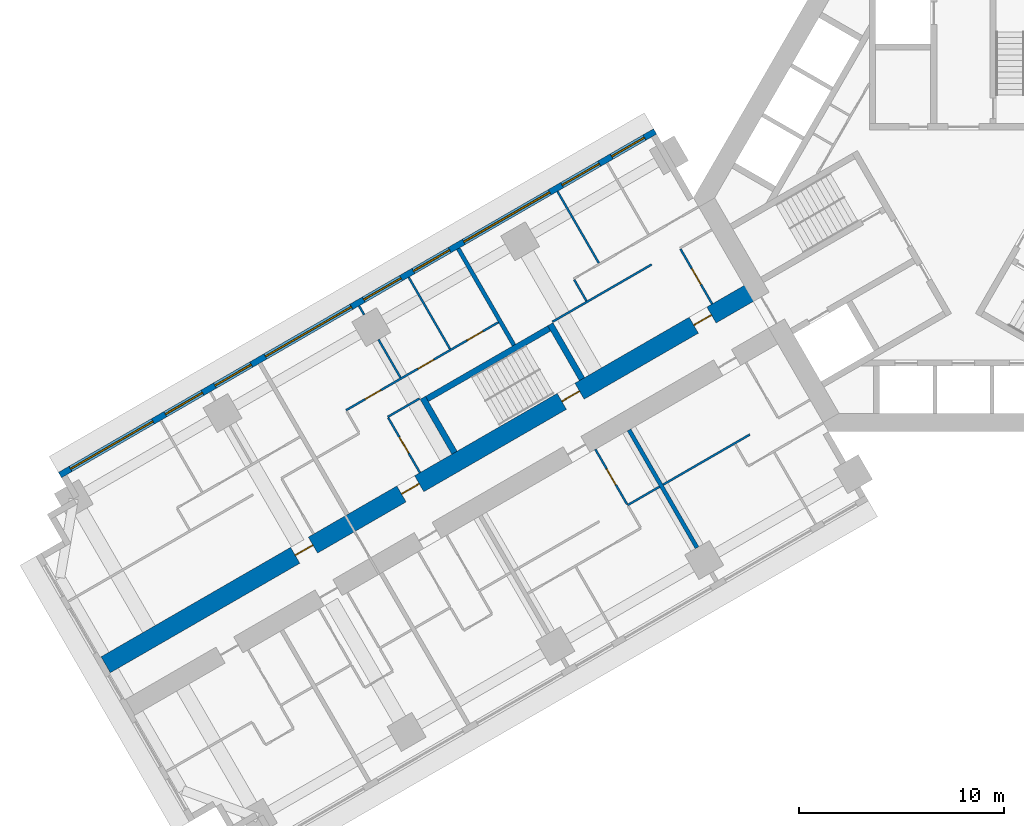
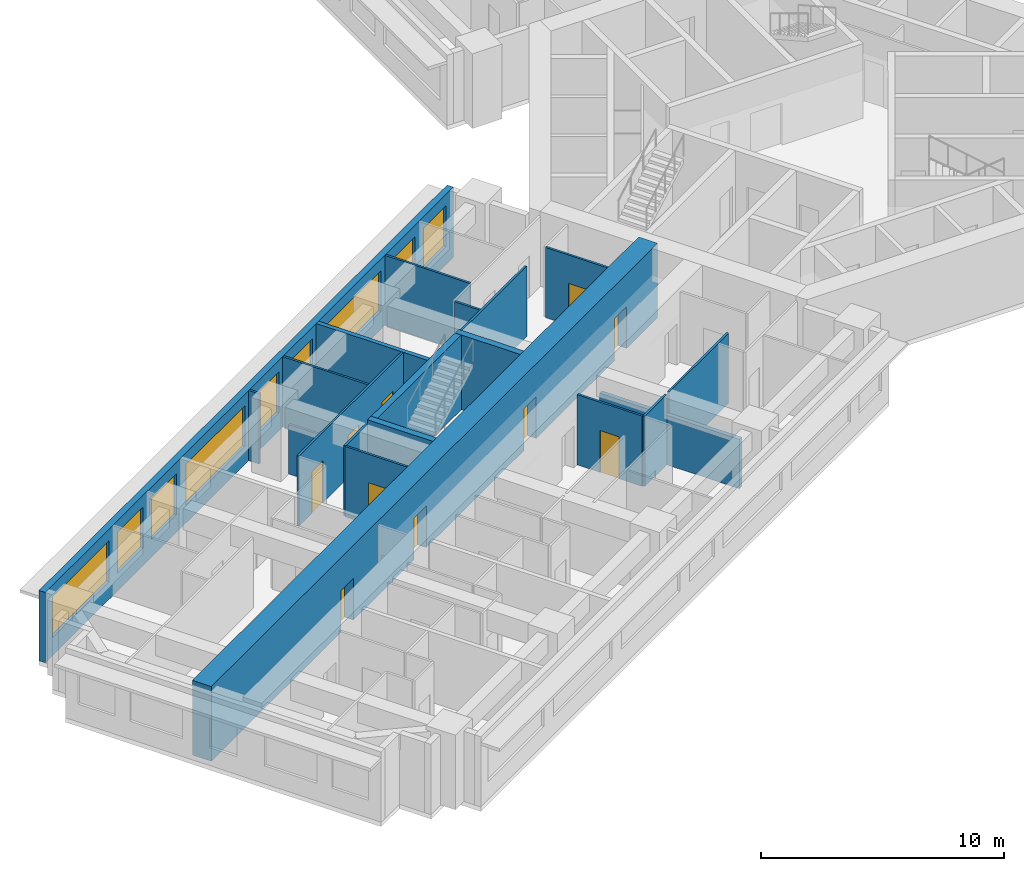
# One storey, part 5 of 16: 20 walls, 10 doors, 9 windows, 19 openings.
"""IFC4 building model written with IfcOpenShell, lengths in metres."""

from ifc_helpers import new_model, si_unit, direction, frame, frame_2d, origin, place, context, subcontext, project, spatial, rectangle, extrude, material, layer, layer_set, type_object, element, fill, save


model = new_model("IFC4")

# Units and contexts
model_context = context("Model", 3, precision=1e-05, world=origin(), true_north=direction((0.0, 1.0)))
body_context = subcontext(model_context, "Body", "Model", "MODEL_VIEW")
ifc_project = project(units=[si_unit("LENGTHUNIT", "METRE"), si_unit("AREAUNIT", "SQUARE_METRE"), si_unit("VOLUMEUNIT", "CUBIC_METRE"), si_unit("PLANEANGLEUNIT", "RADIAN"), si_unit("MASSUNIT", "GRAM", prefix="KILO")], contexts=[model_context])

# Site, building, storey
site_placement = place(None, origin())
site = spatial("IfcSite", under=ifc_project, at=site_placement, CompositionType="ELEMENT")
building_placement = place(site_placement, origin())
building = spatial("IfcBuilding", under=site, at=building_placement, Name="Impinga Residences", CompositionType="ELEMENT")
storey_placement = place(building_placement, frame((0.0, 0.0, 78.5)))
storey = spatial("IfcBuildingStorey", under=building, at=storey_placement, Name="L19", CompositionType="ELEMENT", Elevation=78.5)

# Wall, openings, doors
ifc_material_1 = material(Name="Concrete C70/85", Category="concrete")
ifc_layer_1 = layer(ifc_material_1, 0.89990234375)
ifc_layer_set_1 = layer_set([ifc_layer_1], Name="Concrete C70/85")
wall_type_1 = type_object("IfcWallType", Name="BW1 corridor buttress wall, L05 to L22 900", PredefinedType="SHEAR", material=ifc_layer_set_1)
wall_1_placement = place(storey_placement, frame((-10.1103515625, -4.451416015625, 0.0), z_axis=(0.0, 0.0, 1.0), x_axis=(-0.866025284237, -0.500000207062, 0.0)))
wall_1 = element("IfcWall", 1, at=wall_1_placement, inside=storey, type_object=wall_type_1, Name="Corridor wall BW1 WD L19", PredefinedType="SHEAR", context=body_context, shape_type="SweptSolid", body=[
    extrude(rectangle(XDim=36.75, YDim=0.89990234375, at=frame_2d((18.375, 0.0))), origin(), (0.0, 0.0, 1.0), 3.75),
])
opening_1_placement = place(wall_1_placement, frame((10.0, 0.0, 0.0)))
opening_1 = element("IfcOpeningElement", 2, at=opening_1_placement, cuts=wall_1, Name="Opening D5", PredefinedType="OPENING", context=body_context, shape_type="SweptSolid", body=[
    extrude(rectangle(XDim=1.0, YDim=2.10009765625, at=frame_2d((0.5, 1.050048828125))), frame((0.0, 0.4599609375, 0.0), z_axis=(0.0, -1.0, 0.0), x_axis=(1.0, 0.0, 0.0)), (0.0, 0.0, 1.0), 0.919921875),
])
opening_2_placement = place(wall_1_placement, frame((2.550048828125, 0.0, 0.0)))
opening_2 = element("IfcOpeningElement", 3, at=opening_2_placement, cuts=wall_1, Name="Opening D1", PredefinedType="OPENING", context=body_context, shape_type="SweptSolid", body=[
    extrude(rectangle(XDim=1.0, YDim=2.10009765625, at=frame_2d((0.5, 1.050048828125))), frame((0.0, 0.4599609375, 0.0), z_axis=(0.0, -1.0, 0.0), x_axis=(1.0, 0.0, 0.0)), (0.0, 0.0, 1.0), 0.919921875),
])
opening_3_placement = place(wall_1_placement, frame((19.050048828125, 0.0, 0.0)))
opening_3 = element("IfcOpeningElement", 4, at=opening_3_placement, cuts=wall_1, Name="Opening D1", PredefinedType="OPENING", context=body_context, shape_type="SweptSolid", body=[
    extrude(rectangle(XDim=1.0, YDim=2.10009765625, at=frame_2d((0.5, 1.050048828125))), frame((0.0, 0.4599609375, 0.0), z_axis=(0.0, -1.0, 0.0), x_axis=(1.0, 0.0, 0.0)), (0.0, 0.0, 1.0), 0.919921875),
])
opening_4_placement = place(wall_1_placement, frame((25.050048828125, 0.0, 0.0)))
opening_4 = element("IfcOpeningElement", 5, at=opening_4_placement, cuts=wall_1, Name="Opening D1", PredefinedType="OPENING", context=body_context, shape_type="SweptSolid", body=[
    extrude(rectangle(XDim=1.0, YDim=2.10009765625, at=frame_2d((0.5, 1.050048828125))), frame((0.0, 0.4599609375, 0.0), z_axis=(0.0, -1.0, 0.0), x_axis=(1.0, 0.0, 0.0)), (0.0, 0.0, 1.0), 0.919921875),
])
ifc_material_2 = material(Name="Timber door set", Category="wood")
door_type_1 = type_object("IfcDoorType", Name="D1 apartment entrance door 1000x2100", OperationType="SINGLE_SWING_LEFT", PredefinedType="DOOR", material=ifc_material_2)
door_1_placement = place(opening_2_placement, origin())
door_1 = element("IfcDoor", 6, at=door_1_placement, inside=storey, type_object=door_type_1, Name="Apartment L19-WF1 entrance", OperationType="SINGLE_SWING_LEFT", OverallHeight=2.10009765625, OverallWidth=1.0, PredefinedType="DOOR", context=body_context, shape_type="SweptSolid", body=[
    extrude(rectangle(XDim=1.0, YDim=2.10009765625, at=frame_2d((0.5, 1.050048828125))), frame((0.0, 0.02490234375, 0.0), z_axis=(0.0, -1.0, 0.0), x_axis=(1.0, 0.0, 0.0)), (0.0, 0.0, 1.0), 0.050048828125),
])
fill(opening_2, door_1)
door_2_placement = place(opening_3_placement, origin())
door_2 = element("IfcDoor", 7, at=door_2_placement, inside=storey, type_object=door_type_1, Name="Apartment L19-WF2 entrance", OperationType="SINGLE_SWING_RIGHT", OverallHeight=2.10009765625, OverallWidth=1.0, PredefinedType="DOOR", context=body_context, shape_type="SweptSolid", body=[
    extrude(rectangle(XDim=1.0, YDim=2.10009765625, at=frame_2d((0.5, 1.050048828125))), frame((0.0, 0.02490234375, 0.0), z_axis=(0.0, -1.0, 0.0), x_axis=(1.0, 0.0, 0.0)), (0.0, 0.0, 1.0), 0.050048828125),
])
fill(opening_3, door_2)
door_3_placement = place(opening_4_placement, origin())
door_3 = element("IfcDoor", 8, at=door_3_placement, inside=storey, type_object=door_type_1, Name="Apartment L19-WF3 entrance", OperationType="SINGLE_SWING_RIGHT", OverallHeight=2.10009765625, OverallWidth=1.0, PredefinedType="DOOR", context=body_context, shape_type="SweptSolid", body=[
    extrude(rectangle(XDim=1.0, YDim=2.10009765625, at=frame_2d((0.5, 1.050048828125))), frame((0.0, 0.02490234375, 0.0), z_axis=(0.0, -1.0, 0.0), x_axis=(1.0, 0.0, 0.0)), (0.0, 0.0, 1.0), 0.050048828125),
])
fill(opening_4, door_3)
door_type_2 = type_object("IfcDoorType", Name="D5 stair door 1000x2100", OperationType="SINGLE_SWING_LEFT", PredefinedType="DOOR", material=ifc_material_2)
door_4_placement = place(opening_1_placement, origin())
door_4 = element("IfcDoor", 9, at=door_4_placement, inside=storey, type_object=door_type_2, Name="Wing stair door W", OperationType="SINGLE_SWING_LEFT", OverallHeight=2.10009765625, OverallWidth=1.0, PredefinedType="DOOR", context=body_context, shape_type="SweptSolid", body=[
    extrude(rectangle(XDim=1.0, YDim=2.10009765625, at=frame_2d((0.5, 1.050048828125))), frame((0.0, 0.02490234375, 0.0), z_axis=(0.0, -1.0, 0.0), x_axis=(1.0, 0.0, 0.0)), (0.0, 0.0, 1.0), 0.050048828125),
])
fill(opening_1, door_4)

# Wall, openings, windows
ifc_material_3 = material(Name="Terracotta rainscreen on blockwork", Category="masonry")
ifc_layer_2 = layer(ifc_material_3, 0.300048828125)
ifc_layer_set_2 = layer_set([ifc_layer_2], Name="EW1 external wall, terracotta rainscreen on blockwork 300")
wall_type_2 = type_object("IfcWallType", Name="EW1 external wall, terracotta rainscreen on blockwork 300", PredefinedType="SOLIDWALL", material=ifc_layer_set_2)
wall_2_placement = place(storey_placement, frame((-44.17333984375, -13.552490234375, 0.0), z_axis=(0.0, 0.0, 1.0), x_axis=(0.866024291668, 0.500001926238, 0.0)))
wall_2 = element("IfcWall", 10, at=wall_2_placement, inside=storey, type_object=wall_type_2, Name="External wall EW1 L19", PredefinedType="SOLIDWALL", context=body_context, shape_type="SweptSolid", body=[
    extrude(rectangle(XDim=33.599853515625, YDim=0.300048828125, at=frame_2d((16.7998046875, 0.0))), origin(), (0.0, 0.0, 1.0), 3.530029296875),
])
opening_5_placement = place(wall_2_placement, frame((0.60009765625, 0.0, 0.89990234375)))
opening_5 = element("IfcOpeningElement", 11, at=opening_5_placement, cuts=wall_2, Name="Opening W10", PredefinedType="OPENING", context=body_context, shape_type="SweptSolid", body=[
    extrude(rectangle(XDim=4.64990234375, YDim=2.050048828125, at=frame_2d((2.324951171875, 1.02490234375))), frame((0.0, 0.159912109375, 0.0), z_axis=(0.0, -1.0, 0.0), x_axis=(1.0, 0.0, 0.0)), (0.0, 0.0, 1.0), 0.320068359375),
])
opening_6_placement = place(wall_2_placement, frame((5.949951171875, 0.0, 0.89990234375)))
opening_6 = element("IfcOpeningElement", 12, at=opening_6_placement, cuts=wall_2, Name="Opening W9", PredefinedType="OPENING", context=body_context, shape_type="SweptSolid", body=[
    extrude(rectangle(XDim=2.10009765625, YDim=2.050048828125, at=frame_2d((1.050048828125, 1.02490234375))), frame((0.0, 0.159912109375, 0.0), z_axis=(0.0, -1.0, 0.0), x_axis=(1.0, 0.0, 0.0)), (0.0, 0.0, 1.0), 0.320068359375),
])
opening_7_placement = place(wall_2_placement, frame((8.75, 0.0, 0.89990234375)))
opening_7 = element("IfcOpeningElement", 13, at=opening_7_placement, cuts=wall_2, Name="Opening W14", PredefinedType="OPENING", context=body_context, shape_type="SweptSolid", body=[
    extrude(rectangle(XDim=2.050048828125, YDim=2.050048828125, at=frame_2d((1.02490234375, 1.02490234375))), frame((0.0, 0.159912109375, 0.0), z_axis=(0.0, -1.0, 0.0), x_axis=(1.0, 0.0, 0.0)), (0.0, 0.0, 1.0), 0.320068359375),
])
opening_8_placement = place(wall_2_placement, frame((11.60009765625, 0.0, 0.89990234375)))
opening_8 = element("IfcOpeningElement", 14, at=opening_8_placement, cuts=wall_2, Name="Opening W6", PredefinedType="OPENING", context=body_context, shape_type="SweptSolid", body=[
    extrude(rectangle(XDim=4.85009765625, YDim=2.050048828125, at=frame_2d((2.425048828125, 1.02490234375))), frame((0.0, 0.159912109375, 0.0), z_axis=(0.0, -1.0, 0.0), x_axis=(1.0, 0.0, 0.0)), (0.0, 0.0, 1.0), 0.320068359375),
])
opening_9_placement = place(wall_2_placement, frame((17.14990234375, 0.0, 0.89990234375)))
opening_9 = element("IfcOpeningElement", 15, at=opening_9_placement, cuts=wall_2, Name="Opening W9", PredefinedType="OPENING", context=body_context, shape_type="SweptSolid", body=[
    extrude(rectangle(XDim=2.10009765625, YDim=2.050048828125, at=frame_2d((1.050048828125, 1.02490234375))), frame((0.0, 0.159912109375, 0.0), z_axis=(0.0, -1.0, 0.0), x_axis=(1.0, 0.0, 0.0)), (0.0, 0.0, 1.0), 0.320068359375),
])
opening_10_placement = place(wall_2_placement, frame((19.949951171875, 0.0, 0.89990234375)))
opening_10 = element("IfcOpeningElement", 16, at=opening_10_placement, cuts=wall_2, Name="Opening W14", PredefinedType="OPENING", context=body_context, shape_type="SweptSolid", body=[
    extrude(rectangle(XDim=2.050048828125, YDim=2.050048828125, at=frame_2d((1.02490234375, 1.02490234375))), frame((0.0, 0.159912109375, 0.0), z_axis=(0.0, -1.0, 0.0), x_axis=(1.0, 0.0, 0.0)), (0.0, 0.0, 1.0), 0.320068359375),
])
opening_11_placement = place(wall_2_placement, frame((22.800048828125, 0.0, 0.89990234375)))
opening_11 = element("IfcOpeningElement", 17, at=opening_11_placement, cuts=wall_2, Name="Opening W6", PredefinedType="OPENING", context=body_context, shape_type="SweptSolid", body=[
    extrude(rectangle(XDim=4.85009765625, YDim=2.050048828125, at=frame_2d((2.425048828125, 1.02490234375))), frame((0.0, 0.159912109375, 0.0), z_axis=(0.0, -1.0, 0.0), x_axis=(1.0, 0.0, 0.0)), (0.0, 0.0, 1.0), 0.320068359375),
])
opening_12_placement = place(wall_2_placement, frame((28.35009765625, 0.0, 0.89990234375)))
opening_12 = element("IfcOpeningElement", 18, at=opening_12_placement, cuts=wall_2, Name="Opening W9", PredefinedType="OPENING", context=body_context, shape_type="SweptSolid", body=[
    extrude(rectangle(XDim=2.10009765625, YDim=2.050048828125, at=frame_2d((1.050048828125, 1.02490234375))), frame((0.0, 0.159912109375, 0.0), z_axis=(0.0, -1.0, 0.0), x_axis=(1.0, 0.0, 0.0)), (0.0, 0.0, 1.0), 0.320068359375),
])
opening_13_placement = place(wall_2_placement, frame((31.14990234375, 0.0, 0.89990234375)))
opening_13 = element("IfcOpeningElement", 19, at=opening_13_placement, cuts=wall_2, Name="Opening W15", PredefinedType="OPENING", context=body_context, shape_type="SweptSolid", body=[
    extrude(rectangle(XDim=1.85009765625, YDim=2.050048828125, at=frame_2d((0.925048828125, 1.02490234375))), frame((0.0, 0.159912109375, 0.0), z_axis=(0.0, -1.0, 0.0), x_axis=(1.0, 0.0, 0.0)), (0.0, 0.0, 1.0), 0.320068359375),
])
ifc_material_4 = material(Name="Aluminium window, clear double glazing", Category="aluminium")
window_type_1 = type_object("IfcWindowType", Name="W10 ribbon window 4650x2050", PartitioningType="SINGLE_PANEL", PredefinedType="WINDOW", material=ifc_material_4)
window_1_placement = place(opening_5_placement, origin())
window_1 = element("IfcWindow", 20, at=window_1_placement, inside=storey, type_object=window_type_1, Name="Window L19", OverallHeight=2.050048828125, OverallWidth=4.64990234375, PartitioningType="SINGLE_PANEL", PredefinedType="WINDOW", context=body_context, shape_type="SweptSolid", body=[
    extrude(rectangle(XDim=4.64990234375, YDim=2.050048828125, at=frame_2d((2.324951171875, 1.02490234375))), frame((0.0, 0.030029296875, 0.0), z_axis=(0.0, -1.0, 0.0), x_axis=(1.0, 0.0, 0.0)), (0.0, 0.0, 1.0), 0.06005859375),
])
fill(opening_5, window_1)
window_type_2 = type_object("IfcWindowType", Name="W14 ribbon window 2050x2050", PartitioningType="SINGLE_PANEL", PredefinedType="WINDOW", material=ifc_material_4)
window_2_placement = place(opening_7_placement, origin())
window_2 = element("IfcWindow", 21, at=window_2_placement, inside=storey, type_object=window_type_2, Name="Window L19", OverallHeight=2.050048828125, OverallWidth=2.050048828125, PartitioningType="SINGLE_PANEL", PredefinedType="WINDOW", context=body_context, shape_type="SweptSolid", body=[
    extrude(rectangle(XDim=2.050048828125, YDim=2.050048828125, at=frame_2d((1.02490234375, 1.02490234375))), frame((0.0, 0.030029296875, 0.0), z_axis=(0.0, -1.0, 0.0), x_axis=(1.0, 0.0, 0.0)), (0.0, 0.0, 1.0), 0.06005859375),
])
fill(opening_7, window_2)
window_3_placement = place(opening_10_placement, origin())
window_3 = element("IfcWindow", 22, at=window_3_placement, inside=storey, type_object=window_type_2, Name="Window L19", OverallHeight=2.050048828125, OverallWidth=2.050048828125, PartitioningType="SINGLE_PANEL", PredefinedType="WINDOW", context=body_context, shape_type="SweptSolid", body=[
    extrude(rectangle(XDim=2.050048828125, YDim=2.050048828125, at=frame_2d((1.02490234375, 1.02490234375))), frame((0.0, 0.030029296875, 0.0), z_axis=(0.0, -1.0, 0.0), x_axis=(1.0, 0.0, 0.0)), (0.0, 0.0, 1.0), 0.06005859375),
])
fill(opening_10, window_3)
window_type_3 = type_object("IfcWindowType", Name="W15 ribbon window 1850x2050", PartitioningType="SINGLE_PANEL", PredefinedType="WINDOW", material=ifc_material_4)
window_4_placement = place(opening_13_placement, origin())
window_4 = element("IfcWindow", 23, at=window_4_placement, inside=storey, type_object=window_type_3, Name="Window L19", OverallHeight=2.050048828125, OverallWidth=1.85009765625, PartitioningType="SINGLE_PANEL", PredefinedType="WINDOW", context=body_context, shape_type="SweptSolid", body=[
    extrude(rectangle(XDim=1.85009765625, YDim=2.050048828125, at=frame_2d((0.925048828125, 1.02490234375))), frame((0.0, 0.030029296875, 0.0), z_axis=(0.0, -1.0, 0.0), x_axis=(1.0, 0.0, 0.0)), (0.0, 0.0, 1.0), 0.06005859375),
])
fill(opening_13, window_4)
window_type_4 = type_object("IfcWindowType", Name="W6 ribbon window 4850x2050", PartitioningType="SINGLE_PANEL", PredefinedType="WINDOW", material=ifc_material_4)
window_5_placement = place(opening_8_placement, origin())
window_5 = element("IfcWindow", 24, at=window_5_placement, inside=storey, type_object=window_type_4, Name="Window L19", OverallHeight=2.050048828125, OverallWidth=4.85009765625, PartitioningType="SINGLE_PANEL", PredefinedType="WINDOW", context=body_context, shape_type="SweptSolid", body=[
    extrude(rectangle(XDim=4.85009765625, YDim=2.050048828125, at=frame_2d((2.425048828125, 1.02490234375))), frame((0.0, 0.030029296875, 0.0), z_axis=(0.0, -1.0, 0.0), x_axis=(1.0, 0.0, 0.0)), (0.0, 0.0, 1.0), 0.06005859375),
])
fill(opening_8, window_5)
window_6_placement = place(opening_11_placement, origin())
window_6 = element("IfcWindow", 25, at=window_6_placement, inside=storey, type_object=window_type_4, Name="Window L19", OverallHeight=2.050048828125, OverallWidth=4.85009765625, PartitioningType="SINGLE_PANEL", PredefinedType="WINDOW", context=body_context, shape_type="SweptSolid", body=[
    extrude(rectangle(XDim=4.85009765625, YDim=2.050048828125, at=frame_2d((2.425048828125, 1.02490234375))), frame((0.0, 0.030029296875, 0.0), z_axis=(0.0, -1.0, 0.0), x_axis=(1.0, 0.0, 0.0)), (0.0, 0.0, 1.0), 0.06005859375),
])
fill(opening_11, window_6)
window_type_5 = type_object("IfcWindowType", Name="W9 ribbon window 2100x2050", PartitioningType="SINGLE_PANEL", PredefinedType="WINDOW", material=ifc_material_4)
window_7_placement = place(opening_6_placement, origin())
window_7 = element("IfcWindow", 26, at=window_7_placement, inside=storey, type_object=window_type_5, Name="Window L19", OverallHeight=2.050048828125, OverallWidth=2.10009765625, PartitioningType="SINGLE_PANEL", PredefinedType="WINDOW", context=body_context, shape_type="SweptSolid", body=[
    extrude(rectangle(XDim=2.10009765625, YDim=2.050048828125, at=frame_2d((1.050048828125, 1.02490234375))), frame((0.0, 0.030029296875, 0.0), z_axis=(0.0, -1.0, 0.0), x_axis=(1.0, 0.0, 0.0)), (0.0, 0.0, 1.0), 0.06005859375),
])
fill(opening_6, window_7)
window_8_placement = place(opening_9_placement, origin())
window_8 = element("IfcWindow", 27, at=window_8_placement, inside=storey, type_object=window_type_5, Name="Window L19", OverallHeight=2.050048828125, OverallWidth=2.10009765625, PartitioningType="SINGLE_PANEL", PredefinedType="WINDOW", context=body_context, shape_type="SweptSolid", body=[
    extrude(rectangle(XDim=2.10009765625, YDim=2.050048828125, at=frame_2d((1.050048828125, 1.02490234375))), frame((0.0, 0.030029296875, 0.0), z_axis=(0.0, -1.0, 0.0), x_axis=(1.0, 0.0, 0.0)), (0.0, 0.0, 1.0), 0.06005859375),
])
fill(opening_9, window_8)
window_9_placement = place(opening_12_placement, origin())
window_9 = element("IfcWindow", 28, at=window_9_placement, inside=storey, type_object=window_type_5, Name="Window L19", OverallHeight=2.050048828125, OverallWidth=2.10009765625, PartitioningType="SINGLE_PANEL", PredefinedType="WINDOW", context=body_context, shape_type="SweptSolid", body=[
    extrude(rectangle(XDim=2.10009765625, YDim=2.050048828125, at=frame_2d((1.050048828125, 1.02490234375))), frame((0.0, 0.030029296875, 0.0), z_axis=(0.0, -1.0, 0.0), x_axis=(1.0, 0.0, 0.0)), (0.0, 0.0, 1.0), 0.06005859375),
])
fill(opening_12, window_9)

# Walls
ifc_material_5 = material(Name="Gypsum board on steel studs", Category="steel")
ifc_layer_3 = layer(ifc_material_5, 0.10009765625)
ifc_layer_set_3 = layer_set([ifc_layer_3], Name="Gypsum board on steel studs")
wall_type_3 = type_object("IfcWallType", Name="IP1 partition 100", PredefinedType="PARTITIONING", material=ifc_layer_set_3)
wall_3_placement = place(storey_placement, frame((-10.444580078125, -11.57275390625, 0.0), z_axis=(0.0, 0.0, 1.0), x_axis=(-0.866023786258, -0.500002801628, 0.0)))
element("IfcWall", 29, at=wall_3_placement, inside=storey, type_object=wall_type_3, Name="Partition L19-WA1:DIV1", PredefinedType="PARTITIONING", context=body_context, shape_type="SweptSolid", body=[
    extrude(rectangle(XDim=4.89990234375, YDim=0.10009765625, at=frame_2d((2.449951171875, 0.0))), origin(), (0.0, 0.0, 1.0), 3.530029296875),
])
wall_4_placement = place(storey_placement, frame((-14.861328125, -14.122802734375, 0.0), z_axis=(0.0, 0.0, 1.0), x_axis=(-0.866047807691, -0.499961193289, 0.0)))
element("IfcWall", 30, at=wall_4_placement, inside=storey, type_object=wall_type_3, Name="Partition L19-WA2:DIV0", PredefinedType="PARTITIONING", context=body_context, shape_type="SweptSolid", body=[
    extrude(rectangle(XDim=1.800048828125, YDim=0.10009765625, at=frame_2d((0.89990234375, 0.0))), origin(), (0.0, 0.0, 1.0), 3.530029296875),
])

# Wall, opening, door
wall_5_placement = place(storey_placement, frame((-17.9951171875, -12.294677734375, 0.0), z_axis=(0.0, 0.0, 1.0), x_axis=(0.49999285859, -0.86602952684, 0.0)))
wall_5 = element("IfcWall", 31, at=wall_5_placement, inside=storey, type_object=wall_type_3, Name="Partition L19-WA2:IB1", PredefinedType="PARTITIONING", context=body_context, shape_type="SweptSolid", body=[
    extrude(rectangle(XDim=3.10009765625, YDim=0.10009765625, at=frame_2d((1.550048828125, 0.0))), origin(), (0.0, 0.0, 1.0), 3.530029296875),
])
opening_14_placement = place(wall_5_placement, frame((1.10009765625, 0.0, 0.0)))
opening_14 = element("IfcOpeningElement", 32, at=opening_14_placement, cuts=wall_5, Name="Opening D2", PredefinedType="OPENING", context=body_context, shape_type="SweptSolid", body=[
    extrude(rectangle(XDim=0.89990234375, YDim=2.10009765625, at=frame_2d((0.449951171875, 1.050048828125))), frame((0.0, 0.06005859375, 0.0), z_axis=(0.0, -1.0, 0.0), x_axis=(1.0, 0.0, 0.0)), (0.0, 0.0, 1.0), 0.1201171875),
])
door_type_3 = type_object("IfcDoorType", Name="D2 internal door 900x2100", OperationType="SINGLE_SWING_LEFT", PredefinedType="DOOR", material=ifc_material_2)
door_5_placement = place(opening_14_placement, origin())
door_5 = element("IfcDoor", 33, at=door_5_placement, inside=storey, type_object=door_type_3, Name="Apartment L19-WA2 bathroom door", OperationType="SINGLE_SWING_LEFT", OverallHeight=2.10009765625, OverallWidth=0.89990234375, PredefinedType="DOOR", context=body_context, shape_type="SweptSolid", body=[
    extrude(rectangle(XDim=0.89990234375, YDim=2.10009765625, at=frame_2d((0.449951171875, 1.050048828125))), frame((0.0, 0.02490234375, 0.0), z_axis=(0.0, -1.0, 0.0), x_axis=(1.0, 0.0, 0.0)), (0.0, 0.0, 1.0), 0.050048828125),
])
fill(opening_14, door_5)

# Walls
wall_6_placement = place(storey_placement, frame((-15.244384765625, -3.2587890625, 0.0), z_axis=(0.0, 0.0, 1.0), x_axis=(-0.866026594901, -0.49999793692, 0.0)))
element("IfcWall", 34, at=wall_6_placement, inside=storey, type_object=wall_type_3, Name="Partition L19-WF1:DIV1", PredefinedType="PARTITIONING", context=body_context, shape_type="SweptSolid", body=[
    extrude(rectangle(XDim=5.60009765625, YDim=0.10009765625, at=frame_2d((2.800048828125, 0.0))), origin(), (0.0, 0.0, 1.0), 3.530029296875),
])
wall_7_placement = place(storey_placement, frame((-18.430419921875, -5.04052734375, 0.0), z_axis=(0.0, 0.0, 1.0), x_axis=(-0.500033551112, 0.866006032174, 0.0)))
element("IfcWall", 35, at=wall_7_placement, inside=storey, type_object=wall_type_3, Name="Partition L19-WF1:SE1", PredefinedType="PARTITIONING", context=body_context, shape_type="SweptSolid", body=[
    extrude(rectangle(XDim=1.2001953125, YDim=0.10009765625, at=frame_2d((0.60009765625, 0.0))), origin(), (0.0, 0.0, 1.0), 3.530029296875),
])

# Wall, opening, door
wall_8_placement = place(storey_placement, frame((-12.283935546875, -5.186767578125, 0.0), z_axis=(0.0, 0.0, 1.0), x_axis=(-0.499967891604, 0.866043940782, 0.0)))
wall_8 = element("IfcWall", 36, at=wall_8_placement, inside=storey, type_object=wall_type_3, Name="Partition L19-WF1:IB1", PredefinedType="PARTITIONING", context=body_context, shape_type="SweptSolid", body=[
    extrude(rectangle(XDim=3.099853515625, YDim=0.10009765625, at=frame_2d((1.5498046875, 0.0))), origin(), (0.0, 0.0, 1.0), 3.530029296875),
])
opening_15_placement = place(wall_8_placement, frame((1.10009765625, 0.0, 0.0)))
opening_15 = element("IfcOpeningElement", 37, at=opening_15_placement, cuts=wall_8, Name="Opening D2", PredefinedType="OPENING", context=body_context, shape_type="SweptSolid", body=[
    extrude(rectangle(XDim=0.89990234375, YDim=2.10009765625, at=frame_2d((0.449951171875, 1.050048828125))), frame((0.0, 0.06005859375, 0.0), z_axis=(0.0, -1.0, 0.0), x_axis=(1.0, 0.0, 0.0)), (0.0, 0.0, 1.0), 0.1201171875),
])
door_6_placement = place(opening_15_placement, origin())
door_6 = element("IfcDoor", 38, at=door_6_placement, inside=storey, type_object=door_type_3, Name="Apartment L19-WF1 bathroom door", OperationType="SINGLE_SWING_LEFT", OverallHeight=2.10009765625, OverallWidth=0.89990234375, PredefinedType="DOOR", context=body_context, shape_type="SweptSolid", body=[
    extrude(rectangle(XDim=0.89990234375, YDim=2.10009765625, at=frame_2d((0.449951171875, 1.050048828125))), frame((0.0, 0.02490234375, 0.0), z_axis=(0.0, -1.0, 0.0), x_axis=(1.0, 0.0, 0.0)), (0.0, 0.0, 1.0), 0.050048828125),
])
fill(opening_15, door_6)

# Walls
wall_9_placement = place(storey_placement, frame((-17.82470703125, -3.189697265625, 0.0), z_axis=(0.0, 0.0, 1.0), x_axis=(-0.500035537042, 0.866004885491, 0.0)))
element("IfcWall", 39, at=wall_9_placement, inside=storey, type_object=wall_type_3, Name="Partition L19-WF1:OB2", PredefinedType="PARTITIONING", context=body_context, shape_type="SweptSolid", body=[
    extrude(rectangle(XDim=4.050048828125, YDim=0.10009765625, at=frame_2d((2.02490234375, 0.0))), origin(), (0.0, 0.0, 1.0), 3.530029296875),
])
wall_10_placement = place(storey_placement, frame((-26.58935546875, -9.808837890625, 0.0), z_axis=(0.0, 0.0, 1.0), x_axis=(-0.866047807691, -0.499961193289, 0.0)))
element("IfcWall", 40, at=wall_10_placement, inside=storey, type_object=wall_type_3, Name="Partition L19-WF2:DIV0", PredefinedType="PARTITIONING", context=body_context, shape_type="SweptSolid", body=[
    extrude(rectangle(XDim=1.800048828125, YDim=0.10009765625, at=frame_2d((0.89990234375, 0.0))), origin(), (0.0, 0.0, 1.0), 3.530029296875),
])

# Wall, openings, doors
wall_11_placement = place(storey_placement, frame((-22.736083984375, -6.0830078125, 0.0), z_axis=(0.0, 0.0, 1.0), x_axis=(-0.866021068297, -0.500007509209, 0.0)))
wall_11 = element("IfcWall", 41, at=wall_11_placement, inside=storey, type_object=wall_type_3, Name="Partition L19-WF2:STRIP", PredefinedType="PARTITIONING", context=body_context, shape_type="SweptSolid", body=[
    extrude(rectangle(XDim=8.599853515625, YDim=0.10009765625, at=frame_2d((4.2998046875, 0.0))), origin(), (0.0, 0.0, 1.0), 3.530029296875),
])
opening_16_placement = place(wall_11_placement, frame((0.875, 0.0, 0.0)))
opening_16 = element("IfcOpeningElement", 42, at=opening_16_placement, cuts=wall_11, Name="Opening D2", PredefinedType="OPENING", context=body_context, shape_type="SweptSolid", body=[
    extrude(rectangle(XDim=0.89990234375, YDim=2.10009765625, at=frame_2d((0.449951171875, 1.050048828125))), frame((0.0, 0.06005859375, 0.0), z_axis=(0.0, -1.0, 0.0), x_axis=(1.0, 0.0, 0.0)), (0.0, 0.0, 1.0), 0.1201171875),
])
opening_17_placement = place(wall_11_placement, frame((3.64990234375, 0.0, 0.0)))
opening_17 = element("IfcOpeningElement", 43, at=opening_17_placement, cuts=wall_11, Name="Opening D2", PredefinedType="OPENING", context=body_context, shape_type="SweptSolid", body=[
    extrude(rectangle(XDim=0.89990234375, YDim=2.10009765625, at=frame_2d((0.449951171875, 1.050048828125))), frame((0.0, 0.06005859375, 0.0), z_axis=(0.0, -1.0, 0.0), x_axis=(1.0, 0.0, 0.0)), (0.0, 0.0, 1.0), 0.1201171875),
])
opening_18_placement = place(wall_11_placement, frame((6.625, 0.0, 0.0)))
opening_18 = element("IfcOpeningElement", 44, at=opening_18_placement, cuts=wall_11, Name="Opening D2", PredefinedType="OPENING", context=body_context, shape_type="SweptSolid", body=[
    extrude(rectangle(XDim=0.89990234375, YDim=2.10009765625, at=frame_2d((0.449951171875, 1.050048828125))), frame((0.0, 0.06005859375, 0.0), z_axis=(0.0, -1.0, 0.0), x_axis=(1.0, 0.0, 0.0)), (0.0, 0.0, 1.0), 0.1201171875),
])
door_7_placement = place(opening_16_placement, origin())
door_7 = element("IfcDoor", 45, at=door_7_placement, inside=storey, type_object=door_type_3, Name="Apartment L19-WF2 room door", OperationType="SINGLE_SWING_LEFT", OverallHeight=2.10009765625, OverallWidth=0.89990234375, PredefinedType="DOOR", context=body_context, shape_type="SweptSolid", body=[
    extrude(rectangle(XDim=0.89990234375, YDim=2.10009765625, at=frame_2d((0.449951171875, 1.050048828125))), frame((0.0, 0.02490234375, 0.0), z_axis=(0.0, -1.0, 0.0), x_axis=(1.0, 0.0, 0.0)), (0.0, 0.0, 1.0), 0.050048828125),
])
fill(opening_16, door_7)
door_8_placement = place(opening_17_placement, origin())
door_8 = element("IfcDoor", 46, at=door_8_placement, inside=storey, type_object=door_type_3, Name="Apartment L19-WF2 room door", OperationType="SINGLE_SWING_LEFT", OverallHeight=2.10009765625, OverallWidth=0.89990234375, PredefinedType="DOOR", context=body_context, shape_type="SweptSolid", body=[
    extrude(rectangle(XDim=0.89990234375, YDim=2.10009765625, at=frame_2d((0.449951171875, 1.050048828125))), frame((0.0, 0.02490234375, 0.0), z_axis=(0.0, -1.0, 0.0), x_axis=(1.0, 0.0, 0.0)), (0.0, 0.0, 1.0), 0.050048828125),
])
fill(opening_17, door_8)
door_9_placement = place(opening_18_placement, origin())
door_9 = element("IfcDoor", 47, at=door_9_placement, inside=storey, type_object=door_type_3, Name="Apartment L19-WF2 room door", OperationType="SINGLE_SWING_RIGHT", OverallHeight=2.10009765625, OverallWidth=0.89990234375, PredefinedType="DOOR", context=body_context, shape_type="SweptSolid", body=[
    extrude(rectangle(XDim=0.89990234375, YDim=2.10009765625, at=frame_2d((0.449951171875, 1.050048828125))), frame((0.0, 0.02490234375, 0.0), z_axis=(0.0, -1.0, 0.0), x_axis=(1.0, 0.0, 0.0)), (0.0, 0.0, 1.0), 0.050048828125),
])
fill(opening_18, door_9)

# Wall, opening, door
wall_12_placement = place(storey_placement, frame((-26.5732421875, -13.436767578125, 0.0), z_axis=(0.0, 0.0, 1.0), x_axis=(-0.500026960575, 0.86600983753, 0.0)))
wall_12 = element("IfcWall", 48, at=wall_12_placement, inside=storey, type_object=wall_type_3, Name="Partition L19-WF2:IB1", PredefinedType="PARTITIONING", context=body_context, shape_type="SweptSolid", body=[
    extrude(rectangle(XDim=3.099853515625, YDim=0.10009765625, at=frame_2d((1.5498046875, 0.0))), origin(), (0.0, 0.0, 1.0), 3.530029296875),
])
opening_19_placement = place(wall_12_placement, frame((1.10009765625, 0.0, 0.0)))
opening_19 = element("IfcOpeningElement", 49, at=opening_19_placement, cuts=wall_12, Name="Opening D2", PredefinedType="OPENING", context=body_context, shape_type="SweptSolid", body=[
    extrude(rectangle(XDim=0.89990234375, YDim=2.10009765625, at=frame_2d((0.449951171875, 1.050048828125))), frame((0.0, 0.06005859375, 0.0), z_axis=(0.0, -1.0, 0.0), x_axis=(1.0, 0.0, 0.0)), (0.0, 0.0, 1.0), 0.1201171875),
])
door_10_placement = place(opening_19_placement, origin())
door_10 = element("IfcDoor", 50, at=door_10_placement, inside=storey, type_object=door_type_3, Name="Apartment L19-WF2 bathroom door", OperationType="SINGLE_SWING_LEFT", OverallHeight=2.10009765625, OverallWidth=0.89990234375, PredefinedType="DOOR", context=body_context, shape_type="SweptSolid", body=[
    extrude(rectangle(XDim=0.89990234375, YDim=2.10009765625, at=frame_2d((0.449951171875, 1.050048828125))), frame((0.0, 0.02490234375, 0.0), z_axis=(0.0, -1.0, 0.0), x_axis=(1.0, 0.0, 0.0)), (0.0, 0.0, 1.0), 0.050048828125),
])
fill(opening_19, door_10)

# Walls
wall_13_placement = place(storey_placement, frame((-25.099365234375, -7.3896484375, 0.0), z_axis=(0.0, 0.0, 1.0), x_axis=(-0.499990325971, 0.866030989016, 0.0)))
element("IfcWall", 51, at=wall_13_placement, inside=storey, type_object=wall_type_3, Name="Partition L19-WF2:OB1", PredefinedType="PARTITIONING", context=body_context, shape_type="SweptSolid", body=[
    extrude(rectangle(XDim=4.0498046875, YDim=0.10009765625, at=frame_2d((2.02490234375, 0.0))), origin(), (0.0, 0.0, 1.0), 3.530029296875),
])
wall_14_placement = place(storey_placement, frame((-27.524169921875, -8.789794921875, 0.0), z_axis=(0.0, 0.0, 1.0), x_axis=(-0.499961633463, 0.866047553582, 0.0)))
element("IfcWall", 52, at=wall_14_placement, inside=storey, type_object=wall_type_3, Name="Partition L19-WF2:OB2", PredefinedType="PARTITIONING", context=body_context, shape_type="SweptSolid", body=[
    extrude(rectangle(XDim=2.150146484375, YDim=0.10009765625, at=frame_2d((1.0751953125, 0.0))), origin(), (0.0, 0.0, 1.0), 2.47998046875),
])
wall_15_placement = place(storey_placement, frame((-29.29931640625, -5.71533203125, 0.0), z_axis=(0.0, 0.0, 1.0), x_axis=(-0.499919672301, 0.866071776036, 0.0)))
element("IfcWall", 53, at=wall_15_placement, inside=storey, type_object=wall_type_3, Name="Partition L19-WF2:OB2b", PredefinedType="PARTITIONING", context=body_context, shape_type="SweptSolid", body=[
    extrude(rectangle(XDim=0.5, YDim=0.10009765625, at=frame_2d((0.25, 0.0))), origin(), (0.0, 0.0, 1.0), 3.530029296875),
])
ifc_material_6 = material(Name="Concrete blockwork", Category="masonry")
ifc_layer_4 = layer(ifc_material_6, 0.199951171875)
ifc_layer_set_4 = layer_set([ifc_layer_4], Name="PW1 party wall between apartments 200")
wall_type_4 = type_object("IfcWallType", Name="PW1 party wall between apartments 200", PredefinedType="SOLIDWALL", material=ifc_layer_set_4)
wall_16_placement = place(storey_placement, frame((-16.349609375, -11.3447265625, 0.0), z_axis=(0.0, 0.0, 1.0), x_axis=(0.49999681972, -0.866027239912, 0.0)))
element("IfcWall", 54, at=wall_16_placement, inside=storey, type_object=wall_type_4, Name="Party wall between apartments L19-WA1:PARTY", PredefinedType="SOLIDWALL", context=body_context, shape_type="SweptSolid", body=[
    extrude(rectangle(XDim=6.64990234375, YDim=0.199951171875, at=frame_2d((3.324951171875, 0.0))), origin(), (0.0, 0.0, 1.0), 2.47998046875),
])
wall_17_placement = place(storey_placement, frame((-21.974365234375, -7.2021484375, 0.0), z_axis=(0.0, 0.0, 1.0), x_axis=(-0.500022328685, 0.866012511928, 0.0)))
element("IfcWall", 55, at=wall_17_placement, inside=storey, type_object=wall_type_4, Name="Party wall between apartments L19-WF1:PARTY", PredefinedType="SOLIDWALL", context=body_context, shape_type="SweptSolid", body=[
    extrude(rectangle(XDim=5.449951171875, YDim=0.199951171875, at=frame_2d((2.72509765625, 0.0))), origin(), (0.0, 0.0, 1.0), 3.530029296875),
])
ifc_material_7 = material(Name="Concrete C60/75", Category="concrete")
ifc_layer_5 = layer(ifc_material_7, 0.300048828125)
ifc_layer_set_5 = layer_set([ifc_layer_5], Name="Concrete C60/75")
wall_type_5 = type_object("IfcWallType", Name="SE1 wing stair enclosure wall 300", PredefinedType="SOLIDWALL", material=ifc_layer_set_5)
wall_18_placement = place(storey_placement, frame((-18.649169921875, -8.86181640625, 0.0), z_axis=(0.0, 0.0, 1.0), x_axis=(-0.500026960575, 0.86600983753, 0.0)))
element("IfcWall", 56, at=wall_18_placement, inside=storey, type_object=wall_type_5, Name="Stair enclosure wall SE1 W END0 L19", PredefinedType="SOLIDWALL", context=body_context, shape_type="SweptSolid", body=[
    extrude(rectangle(XDim=3.099853515625, YDim=0.300048828125, at=frame_2d((1.5498046875, 0.0))), origin(), (0.0, 0.0, 1.0), 3.75),
])
wall_19_placement = place(storey_placement, frame((-24.884521484375, -12.4619140625, 0.0), z_axis=(0.0, 0.0, 1.0), x_axis=(-0.49999285859, 0.86602952684, 0.0)))
element("IfcWall", 57, at=wall_19_placement, inside=storey, type_object=wall_type_5, Name="Stair enclosure wall SE1 W END1 L19", PredefinedType="SOLIDWALL", context=body_context, shape_type="SweptSolid", body=[
    extrude(rectangle(XDim=3.10009765625, YDim=0.300048828125, at=frame_2d((1.550048828125, 0.0))), origin(), (0.0, 0.0, 1.0), 3.75),
])
wall_20_placement = place(storey_placement, frame((-20.254150390625, -6.382080078125, 0.0), z_axis=(0.0, 0.0, 1.0), x_axis=(-0.866020008033, -0.500009345598, 0.0)))
element("IfcWall", 58, at=wall_20_placement, inside=storey, type_object=wall_type_5, Name="Stair enclosure wall SE1 W OUT L19", PredefinedType="SOLIDWALL", context=body_context, shape_type="SweptSolid", body=[
    extrude(rectangle(XDim=6.899658203125, YDim=0.300048828125, at=frame_2d((3.44970703125, 0.0))), origin(), (0.0, 0.0, 1.0), 3.75),
])

save(model, "model.ifc")
